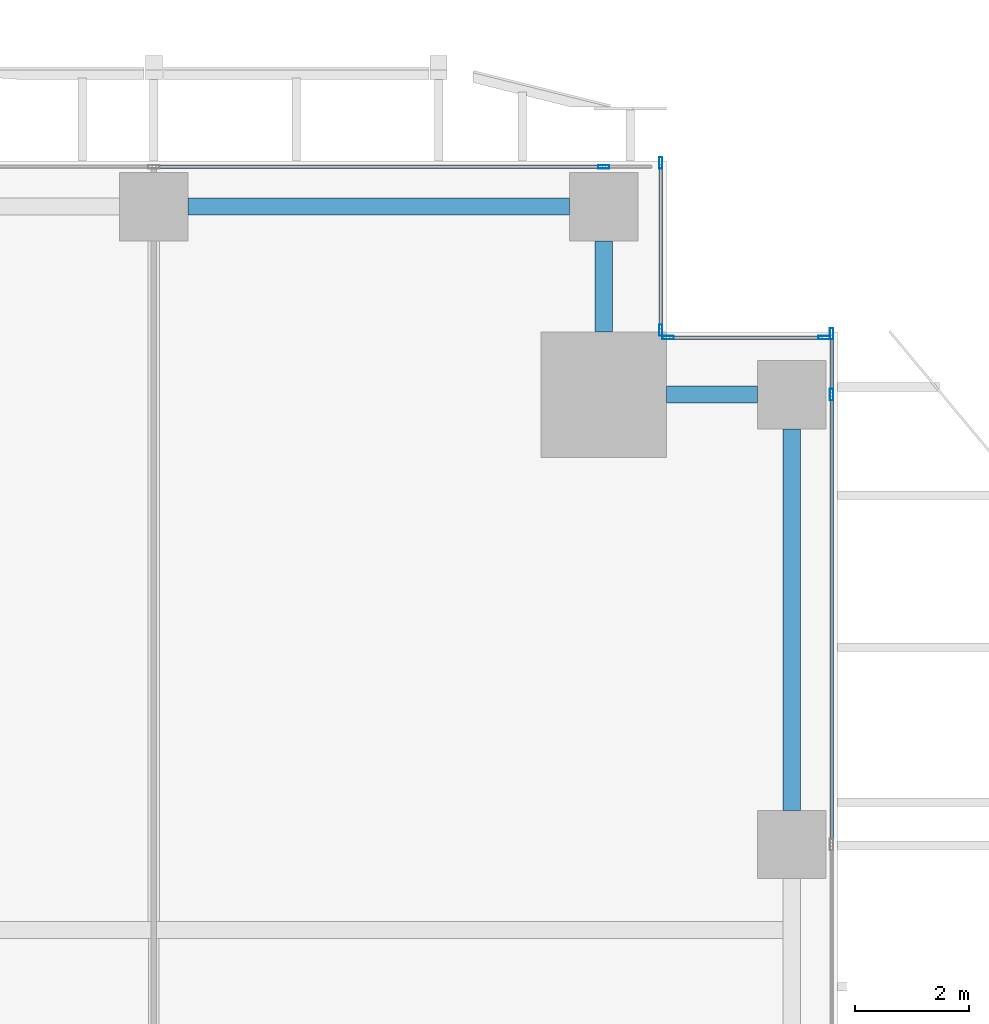
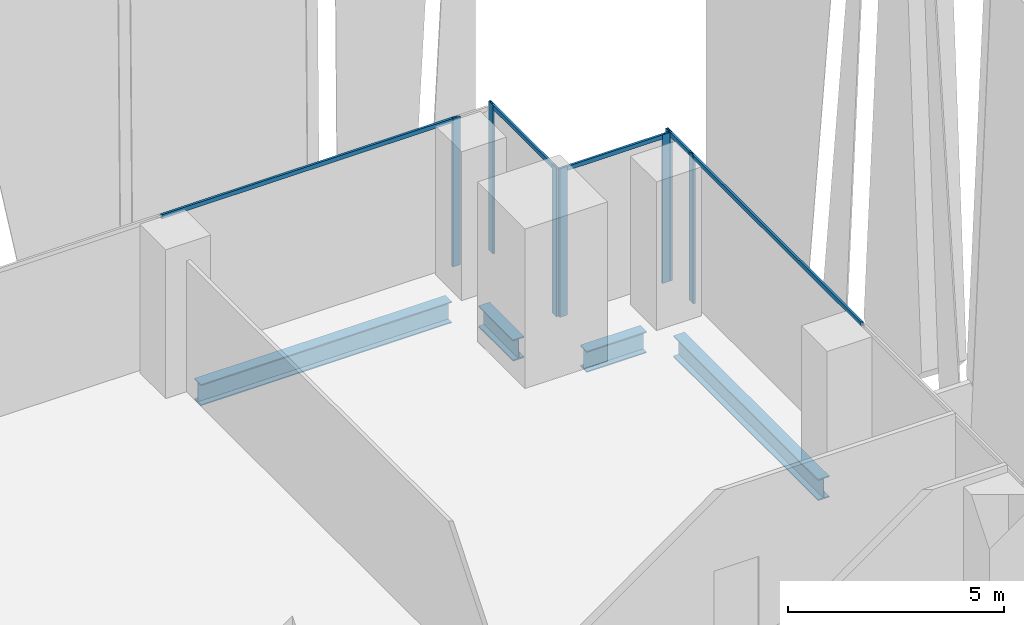
# One storey, part 19 of 34: 12 members, 4 beams, 4 elements without a shape of their own.
"""IFC4 building model written with IfcOpenShell, lengths in metres."""

from ifc_helpers import new_model, si_unit, direction, frame, origin, origin_2d, place, context, subcontext, project, spatial, hollow_rectangle, i_section, extrude, source, transform, mapped, material, material_profile, profile_set, type_object, element, aggregate, save


model = new_model("IFC4")

# Units and contexts
model_context = context("Model", 3, precision=1e-05, world=origin(), true_north=direction((0.0, 1.0)))
body_context = subcontext(model_context, "Body", "Model", "MODEL_VIEW")
ifc_project = project(units=[si_unit("LENGTHUNIT", "METRE"), si_unit("AREAUNIT", "SQUARE_METRE"), si_unit("VOLUMEUNIT", "CUBIC_METRE"), si_unit("PLANEANGLEUNIT", "RADIAN"), si_unit("MASSUNIT", "GRAM", prefix="KILO")], contexts=[model_context])

# Site, building, storey
site_placement = place(None, origin())
site = spatial("IfcSite", under=ifc_project, at=site_placement, CompositionType="ELEMENT")
building_placement = place(site_placement, origin())
building = spatial("IfcBuilding", under=site, at=building_placement, Name="Khomas Fold Tower", CompositionType="ELEMENT")
storey_placement = place(building_placement, frame((0.0, 0.0, 73.5)))
storey = spatial("IfcBuildingStorey", under=building, at=storey_placement, Name="L15", CompositionType="ELEMENT", Elevation=73.5)

# Beams
ifc_material_1 = material(Name="Steel S355", Category="steel")
ifc_material_profile_1 = material_profile(ifc_material_1, i_section(OverallWidth=0.300048828125, OverallDepth=0.60009765625, WebThickness=0.015380859375, FlangeThickness=0.030029296875, at=origin_2d()), Name="HE 600 B")
ifc_profile_set_1 = profile_set([ifc_material_profile_1], Name="Steel S355")
beam_type = type_object("IfcBeamType", Name="HE 600 B spandrel SB1", PredefinedType="SPANDREL", material=ifc_profile_set_1)
shared_shape_1 = source(origin(), body_context, "Body", "SweptSolid", [
    extrude(i_section(OverallWidth=0.300048828125, OverallDepth=0.60009765625, WebThickness=0.015380859375, FlangeThickness=0.030029296875, at=origin_2d()), origin(), (0.0, 0.0, 1.0), 6.699951171875),
])
for number, where, z_axis, x_axis, name in (
    (1, (53.199951171875, 42.60009765625, -0.60009765625), (0.0, 1.0, 0.0), (-1.0, 0.0, 0.0), "SB1"),
    (2, (42.60009765625, 53.199951171875, -0.60009765625), (1.0, 0.0, 0.0), (0.0, 1.0, 0.0), "SB1"),
):
    element("IfcBeam", number, at=place(storey_placement, frame(where, z_axis=z_axis, x_axis=x_axis)), inside=storey, type_object=beam_type, Name=name, PredefinedType="SPANDREL", context=body_context, shape_type="MappedRepresentation", body=[
        mapped(shared_shape_1, transform((0.0, 0.0, 0.0))),
    ])
shared_shape_2 = source(origin(), body_context, "Body", "SweptSolid", [
    extrude(i_section(OverallWidth=0.300048828125, OverallDepth=0.60009765625, WebThickness=0.015380859375, FlangeThickness=0.030029296875, at=origin_2d()), origin(), (0.0, 0.0, 1.0), 1.60009765625),
])
for number, where, z_axis, x_axis, name in (
    (3, (51.0, 49.89990234375, -0.60009765625), (1.0, 0.0, 0.0), (0.0, 1.0, 0.0), "SB1"),
    (4, (49.89990234375, 51.0, -0.60009765625), (0.0, 1.0, 0.0), (-1.0, 0.0, 0.0), "SB1"),
):
    element("IfcBeam", number, at=place(storey_placement, frame(where, z_axis=z_axis, x_axis=x_axis)), inside=storey, type_object=beam_type, Name=name, PredefinedType="SPANDREL", context=body_context, shape_type="MappedRepresentation", body=[
        mapped(shared_shape_2, transform((0.0, 0.0, 0.0))),
    ])

# Curtain wall, member
ifc_material_2 = material(Name="Aluminium framed double glazing", Category="aluminium")
curtain_wall_type = type_object("IfcCurtainWallType", Name="SK-Unitised clear-glass wall, growing floors CW1", PredefinedType="NOTDEFINED", material=ifc_material_2)
curtain_wall_1_placement = place(storey_placement, origin())
curtain_wall_1 = element("IfcCurtainWall", 5, at=curtain_wall_1_placement, inside=storey, type_object=curtain_wall_type, Name="CW1 run L15 03-1", PredefinedType="NOTDEFINED")
ifc_material_3 = material(Name="Aluminium", Category="aluminium")
ifc_material_profile_2 = material_profile(ifc_material_3, hollow_rectangle(XDim=0.06005859375, YDim=0.1201171875, WallThickness=0.00390625, at=origin_2d()), Name="SK-Unitised clear-glass wall, growing floors transom CW1-T")
ifc_profile_set_2 = profile_set([ifc_material_profile_2], Name="Aluminium")
member_type_1 = type_object("IfcMemberType", Name="SK-Unitised clear-glass wall, growing floors transom CW1-T", PredefinedType="USERDEFINED", material=ifc_profile_set_2)
shared_shape_3 = source(origin(), body_context, "Body", "SweptSolid", [
    extrude(hollow_rectangle(XDim=0.06005859375, YDim=0.1201171875, WallThickness=0.00390625, at=origin_2d()), origin(), (0.0, 0.0, 1.0), 7.840087890625),
])
member_1_placement = place(storey_placement, frame((53.89990234375, 42.030029296875, 4.139892578125), z_axis=(0.0, 1.0, 0.0), x_axis=(-1.0, 0.0, 0.0)))
member_1 = element("IfcMember", 6, at=member_1_placement, type_object=member_type_1, Name="CW1 transom 4", ObjectType="TRANSOM", PredefinedType="USERDEFINED", context=body_context, shape_type="MappedRepresentation", body=[
    mapped(shared_shape_3, transform((0.0, 0.0, 0.0))),
])

curtain_wall_2_placement = place(storey_placement, origin())
curtain_wall_2 = element("IfcCurtainWall", 7, at=curtain_wall_2_placement, inside=storey, type_object=curtain_wall_type, Name="CW1 run L15 06-0", PredefinedType="NOTDEFINED")
member_2_placement = place(storey_placement, frame((49.8701171875, 53.89990234375, 4.139892578125), z_axis=(-1.0, 0.0, 0.0), x_axis=(0.0, -1.0, 0.0)))
member_2 = element("IfcMember", 8, at=member_2_placement, type_object=member_type_1, Name="CW1 transom 2", ObjectType="TRANSOM", PredefinedType="USERDEFINED", context=body_context, shape_type="MappedRepresentation", body=[
    mapped(shared_shape_3, transform((0.0, 0.0, 0.0))),
])

# Member
shared_shape_4 = source(origin(), body_context, "Body", "SweptSolid", [
    extrude(hollow_rectangle(XDim=0.06005859375, YDim=0.1201171875, WallThickness=0.00390625, at=origin_2d()), origin(), (0.0, 0.0, 1.0), 1.010009765625),
])
member_3_placement = place(storey_placement, frame((53.89990234375, 49.929931640625, 4.139892578125), z_axis=(0.0, 1.0, 0.0), x_axis=(-1.0, 0.0, 0.0)))
member_3 = element("IfcMember", 9, at=member_3_placement, type_object=member_type_1, Name="CW1 transom 5", ObjectType="TRANSOM", PredefinedType="USERDEFINED", context=body_context, shape_type="MappedRepresentation", body=[
    mapped(shared_shape_4, transform((0.0, 0.0, 0.0))),
])

# Curtain wall, member
curtain_wall_3_placement = place(storey_placement, origin())
curtain_wall_3 = element("IfcCurtainWall", 10, at=curtain_wall_3_placement, inside=storey, type_object=curtain_wall_type, Name="CW1 corner return L15 04", PredefinedType="NOTDEFINED")
shared_shape_5 = source(origin(), body_context, "Body", "SweptSolid", [
    extrude(hollow_rectangle(XDim=0.06005859375, YDim=0.1201171875, WallThickness=0.00390625, at=origin_2d()), origin(), (0.0, 0.0, 1.0), 2.679931640625),
])
member_4_placement = place(storey_placement, frame((53.739990234375, 50.89990234375, 4.139892578125), z_axis=(-1.0, 0.0, 0.0), x_axis=(0.0, -1.0, 0.0)))
member_4 = element("IfcMember", 11, at=member_4_placement, type_object=member_type_1, Name="CW1 transom 1", ObjectType="TRANSOM", PredefinedType="USERDEFINED", context=body_context, shape_type="MappedRepresentation", body=[
    mapped(shared_shape_5, transform((0.0, 0.0, 0.0))),
])

curtain_wall_4_placement = place(storey_placement, origin())
curtain_wall_4 = element("IfcCurtainWall", 12, at=curtain_wall_4_placement, inside=storey, type_object=curtain_wall_type, Name="CW1 corner return L15 05", PredefinedType="NOTDEFINED")
shared_shape_6 = source(origin(), body_context, "Body", "SweptSolid", [
    extrude(hollow_rectangle(XDim=0.06005859375, YDim=0.1201171875, WallThickness=0.00390625, at=origin_2d()), origin(), (0.0, 0.0, 1.0), 2.8798828125),
])
member_5_placement = place(storey_placement, frame((50.89990234375, 51.06005859375, 4.139892578125), z_axis=(0.0, 1.0, 0.0), x_axis=(-1.0, 0.0, 0.0)))
member_5 = element("IfcMember", 13, at=member_5_placement, type_object=member_type_1, Name="CW1 transom 1", ObjectType="TRANSOM", PredefinedType="USERDEFINED", context=body_context, shape_type="MappedRepresentation", body=[
    mapped(shared_shape_6, transform((0.0, 0.0, 0.0))),
])

# Member
ifc_material_4 = material(Name="Aluminium", Category="aluminium")
ifc_material_profile_3 = material_profile(ifc_material_4, hollow_rectangle(XDim=0.06005859375, YDim=0.199951171875, WallThickness=0.00390625, at=origin_2d()), Name="SK-Unitised clear-glass wall, growing floors mullion CW1-M")
ifc_profile_set_3 = profile_set([ifc_material_profile_3], Name="Aluminium")
member_type_2 = type_object("IfcMemberType", Name="SK-Unitised clear-glass wall, growing floors mullion CW1-M", PredefinedType="MULLION", material=ifc_profile_set_3)
shared_shape_7 = source(origin(), body_context, "Body", "SweptSolid", [
    extrude(hollow_rectangle(XDim=0.06005859375, YDim=0.199951171875, WallThickness=0.00390625, at=origin_2d()), origin(), (0.0, 0.0, 1.0), 4.199951171875),
])
member_6_placement = place(storey_placement, frame((53.89990234375, 49.89990234375, 0.0), z_axis=(0.0, 0.0, 1.0), x_axis=(-1.0, 0.0, 0.0)))
member_6 = element("IfcMember", 14, at=member_6_placement, type_object=member_type_2, Name="CW1 mullion 5", PredefinedType="MULLION", context=body_context, shape_type="MappedRepresentation", body=[
    mapped(shared_shape_7, transform((0.0, 0.0, 0.0))),
])

member_7_placement = place(storey_placement, frame((53.89990234375, 50.969970703125, 0.0), z_axis=(0.0, 0.0, 1.0), x_axis=(-1.0, 0.0, 0.0)))
member_7 = element("IfcMember", 15, at=member_7_placement, type_object=member_type_2, Name="CW1 mullion 6", PredefinedType="MULLION", context=body_context, shape_type="MappedRepresentation", body=[
    mapped(shared_shape_7, transform((0.0, 0.0, 0.0))),
])

aggregate(curtain_wall_1, [member_6, member_7, member_1, member_3])

member_8_placement = place(storey_placement, frame((53.77001953125, 50.89990234375, 0.0), z_axis=(0.0, 0.0, 1.0), x_axis=(0.0, -1.0, 0.0)))
member_8 = element("IfcMember", 16, at=member_8_placement, type_object=member_type_2, Name="CW1 mullion 1", PredefinedType="MULLION", context=body_context, shape_type="MappedRepresentation", body=[
    mapped(shared_shape_7, transform((0.0, 0.0, 0.0))),
])

member_9_placement = place(storey_placement, frame((51.030029296875, 50.89990234375, 0.0), z_axis=(0.0, 0.0, 1.0), x_axis=(0.0, -1.0, 0.0)))
member_9 = element("IfcMember", 17, at=member_9_placement, type_object=member_type_2, Name="CW1 mullion 2", PredefinedType="MULLION", context=body_context, shape_type="MappedRepresentation", body=[
    mapped(shared_shape_7, transform((0.0, 0.0, 0.0))),
])

aggregate(curtain_wall_3, [member_8, member_9, member_4])

member_10_placement = place(storey_placement, frame((50.89990234375, 51.030029296875, 0.0), z_axis=(0.0, 0.0, 1.0), x_axis=(-1.0, 0.0, 0.0)))
member_10 = element("IfcMember", 18, at=member_10_placement, type_object=member_type_2, Name="CW1 mullion 1", PredefinedType="MULLION", context=body_context, shape_type="MappedRepresentation", body=[
    mapped(shared_shape_7, transform((0.0, 0.0, 0.0))),
])

member_11_placement = place(storey_placement, frame((50.89990234375, 53.969970703125, 0.0), z_axis=(0.0, 0.0, 1.0), x_axis=(-1.0, 0.0, 0.0)))
member_11 = element("IfcMember", 19, at=member_11_placement, type_object=member_type_2, Name="CW1 mullion 2", PredefinedType="MULLION", context=body_context, shape_type="MappedRepresentation", body=[
    mapped(shared_shape_7, transform((0.0, 0.0, 0.0))),
])

aggregate(curtain_wall_4, [member_10, member_11, member_5])

member_12_placement = place(storey_placement, frame((49.89990234375, 53.89990234375, 0.0), z_axis=(0.0, 0.0, 1.0), x_axis=(0.0, -1.0, 0.0)))
member_12 = element("IfcMember", 20, at=member_12_placement, type_object=member_type_2, Name="CW1 mullion 2", PredefinedType="MULLION", context=body_context, shape_type="MappedRepresentation", body=[
    mapped(shared_shape_7, transform((0.0, 0.0, 0.0))),
])

aggregate(curtain_wall_2, [member_12, member_2])

save(model, "model.ifc")
